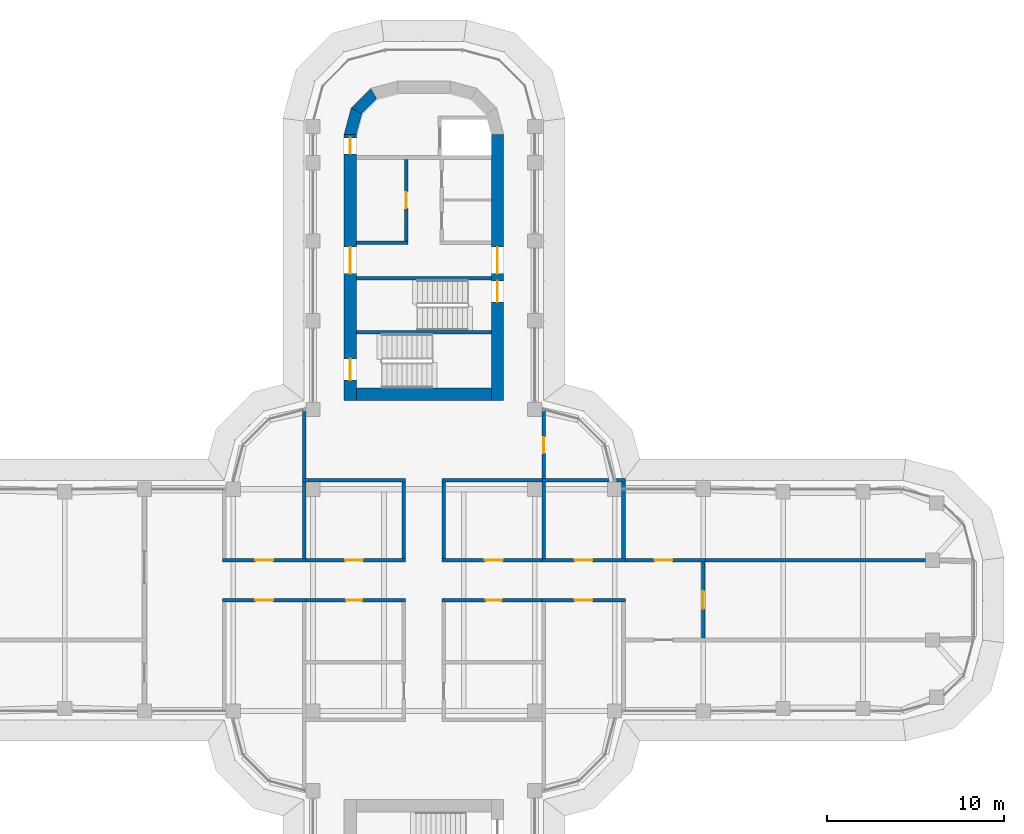
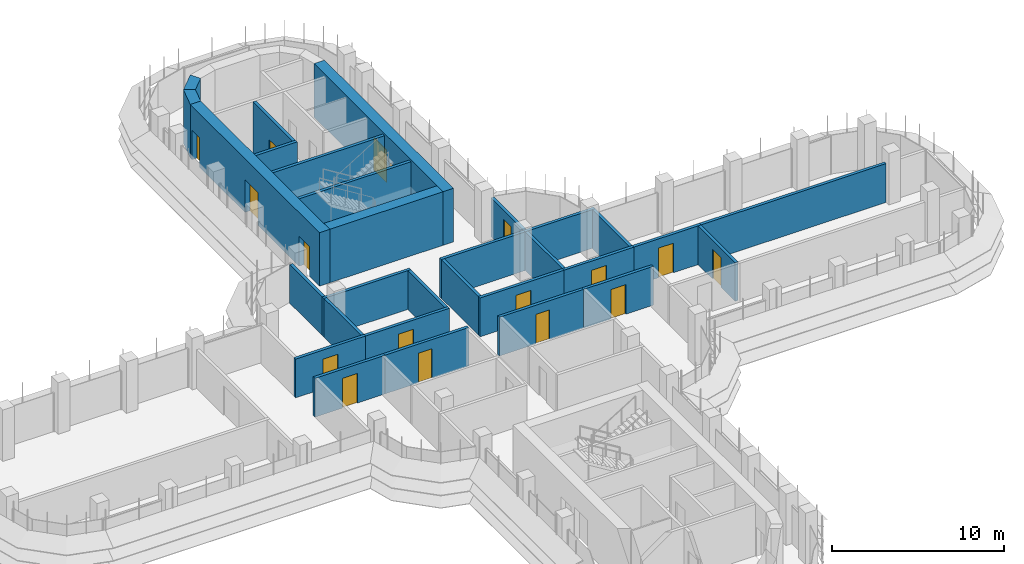
# One storey, part 14 of 19: 30 walls, 17 doors, 17 openings.
"""IFC4 building model written with IfcOpenShell, lengths in metres."""

from ifc_helpers import new_model, si_unit, direction, frame, frame_2d, origin, place, context, subcontext, project, spatial, polyline, rectangle, outline, extrude, material, layer, layer_set, type_object, element, fill, save


model = new_model("IFC4")

# Units and contexts
model_context = context("Model", 3, precision=1e-05, world=origin(), true_north=direction((0.0, 1.0)))
body_context = subcontext(model_context, "Body", "Model", "MODEL_VIEW")
ifc_project = project(units=[si_unit("LENGTHUNIT", "METRE"), si_unit("AREAUNIT", "SQUARE_METRE"), si_unit("VOLUMEUNIT", "CUBIC_METRE"), si_unit("PLANEANGLEUNIT", "RADIAN"), si_unit("MASSUNIT", "GRAM", prefix="KILO")], contexts=[model_context])

# Site, building, storey
site_placement = place(None, origin())
site = spatial("IfcSite", under=ifc_project, at=site_placement, CompositionType="ELEMENT")
building_placement = place(site_placement, origin())
building = spatial("IfcBuilding", under=site, at=building_placement, Name="Zarbagh Exchange Tower", CompositionType="ELEMENT")
storey_placement = place(building_placement, frame((0.0, 0.0, 179.0)))
storey = spatial("IfcBuildingStorey", under=building, at=storey_placement, Name="L43", CompositionType="ELEMENT", Elevation=179.0)

# Wall, opening, door
ifc_material_1 = material(Name="Fire-rated plasterboard partition")
ifc_layer_1 = layer(ifc_material_1, 0.199951171875)
ifc_layer_set_1 = layer_set([ifc_layer_1], Name="RATED PARTITION 200")
wall_type_1 = type_object("IfcWallType", Name="RATED PARTITION 200", PredefinedType="PARTITIONING", material=ifc_layer_set_1)
wall_1_placement = place(storey_placement, frame((1.02490234375, 2.25, 0.0), z_axis=(0.0, 0.0, 1.0), x_axis=(1.0, 0.0, 0.0)))
wall_1 = element("IfcWall", 1, at=wall_1_placement, inside=storey, type_object=wall_type_1, Name="Partition W-1901", PredefinedType="PARTITIONING", context=body_context, shape_type="SweptSolid", body=[
    extrude(rectangle(XDim=5.8251953125, YDim=0.199951171875, at=frame_2d((2.91259765625, 0.0))), origin(), (0.0, 0.0, 1.0), 2.75),
])
opening_1_placement = place(wall_1_placement, frame((2.41259765625, 0.0, 0.0)))
opening_1 = element("IfcOpeningElement", 2, at=opening_1_placement, cuts=wall_1, Name="Opening D-1904", PredefinedType="OPENING", context=body_context, shape_type="SweptSolid", body=[
    extrude(rectangle(XDim=1.0, YDim=2.10009765625, at=frame_2d((0.5, 1.050048828125))), frame((0.0, 0.10986328125, 0.0), z_axis=(0.0, -1.0, 0.0), x_axis=(1.0, 0.0, 0.0)), (0.0, 0.0, 1.0), 0.219970703125),
])
ifc_material_2 = material(Name="Steel door set", Category="steel")
door_type_1 = type_object("IfcDoorType", Name="FIRE DOOR 1000 X 2100 FD30S", OperationType="NOTDEFINED", PredefinedType="DOOR", material=ifc_material_2)
door_1_placement = place(opening_1_placement, origin())
door_1 = element("IfcDoor", 3, at=door_1_placement, inside=storey, type_object=door_type_1, Name="Door D-1904", OperationType="SINGLE_SWING_RIGHT", OverallHeight=2.10009765625, OverallWidth=1.0, PredefinedType="DOOR", context=body_context, shape_type="SweptSolid", body=[
    extrude(rectangle(XDim=1.0, YDim=2.10009765625, at=frame_2d((0.5, 1.050048828125))), frame((0.0, 0.02490234375, 0.0), z_axis=(0.0, -1.0, 0.0), x_axis=(1.0, 0.0, 0.0)), (0.0, 0.0, 1.0), 0.050048828125),
])
fill(opening_1, door_1)

wall_2_placement = place(storey_placement, frame((6.64990234375, 2.25, 0.0), z_axis=(0.0, 0.0, 1.0), x_axis=(1.0, 0.0, 0.0)))
wall_2 = element("IfcWall", 4, at=wall_2_placement, inside=storey, type_object=wall_type_1, Name="Partition W-1902", PredefinedType="PARTITIONING", context=body_context, shape_type="SweptSolid", body=[
    extrude(rectangle(XDim=4.7001953125, YDim=0.199951171875, at=frame_2d((2.35009765625, 0.0))), origin(), (0.0, 0.0, 1.0), 2.75),
])
opening_2_placement = place(wall_2_placement, frame((1.85009765625, 0.0, 0.0)))
opening_2 = element("IfcOpeningElement", 5, at=opening_2_placement, cuts=wall_2, Name="Opening D-1905", PredefinedType="OPENING", context=body_context, shape_type="SweptSolid", body=[
    extrude(rectangle(XDim=1.0, YDim=2.10009765625, at=frame_2d((0.5, 1.050048828125))), frame((0.0, 0.10986328125, 0.0), z_axis=(0.0, -1.0, 0.0), x_axis=(1.0, 0.0, 0.0)), (0.0, 0.0, 1.0), 0.219970703125),
])
door_2_placement = place(opening_2_placement, origin())
door_2 = element("IfcDoor", 6, at=door_2_placement, inside=storey, type_object=door_type_1, Name="Door D-1905", OperationType="SINGLE_SWING_RIGHT", OverallHeight=2.10009765625, OverallWidth=1.0, PredefinedType="DOOR", context=body_context, shape_type="SweptSolid", body=[
    extrude(rectangle(XDim=1.0, YDim=2.10009765625, at=frame_2d((0.5, 1.050048828125))), frame((0.0, 0.02490234375, 0.0), z_axis=(0.0, -1.0, 0.0), x_axis=(1.0, 0.0, 0.0)), (0.0, 0.0, 1.0), 0.050048828125),
])
fill(opening_2, door_2)

wall_3_placement = place(storey_placement, frame((-6.85009765625, 2.25, 0.0), z_axis=(0.0, 0.0, 1.0), x_axis=(1.0, 0.0, 0.0)))
wall_3 = element("IfcWall", 7, at=wall_3_placement, inside=storey, type_object=wall_type_1, Name="Partition W-1903", PredefinedType="PARTITIONING", context=body_context, shape_type="SweptSolid", body=[
    extrude(rectangle(XDim=5.8251953125, YDim=0.199951171875, at=frame_2d((2.91259765625, 0.0))), origin(), (0.0, 0.0, 1.0), 2.75),
])
opening_3_placement = place(wall_3_placement, frame((2.41259765625, 0.0, 0.0)))
opening_3 = element("IfcOpeningElement", 8, at=opening_3_placement, cuts=wall_3, Name="Opening D-1907", PredefinedType="OPENING", context=body_context, shape_type="SweptSolid", body=[
    extrude(rectangle(XDim=1.0, YDim=2.10009765625, at=frame_2d((0.5, 1.050048828125))), frame((0.0, 0.10986328125, 0.0), z_axis=(0.0, -1.0, 0.0), x_axis=(1.0, 0.0, 0.0)), (0.0, 0.0, 1.0), 0.219970703125),
])
door_3_placement = place(opening_3_placement, origin())
door_3 = element("IfcDoor", 9, at=door_3_placement, inside=storey, type_object=door_type_1, Name="Door D-1907", OperationType="SINGLE_SWING_RIGHT", OverallHeight=2.10009765625, OverallWidth=1.0, PredefinedType="DOOR", context=body_context, shape_type="SweptSolid", body=[
    extrude(rectangle(XDim=1.0, YDim=2.10009765625, at=frame_2d((0.5, 1.050048828125))), frame((0.0, 0.02490234375, 0.0), z_axis=(0.0, -1.0, 0.0), x_axis=(1.0, 0.0, 0.0)), (0.0, 0.0, 1.0), 0.050048828125),
])
fill(opening_3, door_3)

wall_4_placement = place(storey_placement, frame((-11.35009765625, 2.25, 0.0), z_axis=(0.0, 0.0, 1.0), x_axis=(1.0, 0.0, 0.0)))
wall_4 = element("IfcWall", 10, at=wall_4_placement, inside=storey, type_object=wall_type_1, Name="Partition W-1904", PredefinedType="PARTITIONING", context=body_context, shape_type="SweptSolid", body=[
    extrude(rectangle(XDim=4.7001953125, YDim=0.199951171875, at=frame_2d((2.35009765625, 0.0))), origin(), (0.0, 0.0, 1.0), 2.75),
])
opening_4_placement = place(wall_4_placement, frame((1.85009765625, 0.0, 0.0)))
opening_4 = element("IfcOpeningElement", 11, at=opening_4_placement, cuts=wall_4, Name="Opening D-1908", PredefinedType="OPENING", context=body_context, shape_type="SweptSolid", body=[
    extrude(rectangle(XDim=1.0, YDim=2.10009765625, at=frame_2d((0.5, 1.050048828125))), frame((0.0, 0.10986328125, 0.0), z_axis=(0.0, -1.0, 0.0), x_axis=(1.0, 0.0, 0.0)), (0.0, 0.0, 1.0), 0.219970703125),
])
door_4_placement = place(opening_4_placement, origin())
door_4 = element("IfcDoor", 12, at=door_4_placement, inside=storey, type_object=door_type_1, Name="Door D-1908", OperationType="SINGLE_SWING_RIGHT", OverallHeight=2.10009765625, OverallWidth=1.0, PredefinedType="DOOR", context=body_context, shape_type="SweptSolid", body=[
    extrude(rectangle(XDim=1.0, YDim=2.10009765625, at=frame_2d((0.5, 1.050048828125))), frame((0.0, 0.02490234375, 0.0), z_axis=(0.0, -1.0, 0.0), x_axis=(1.0, 0.0, 0.0)), (0.0, 0.0, 1.0), 0.050048828125),
])
fill(opening_4, door_4)

wall_5_placement = place(storey_placement, frame((6.85009765625, 0.0, 0.0), z_axis=(0.0, 0.0, 1.0), x_axis=(-1.0, 0.0, 0.0)))
wall_5 = element("IfcWall", 13, at=wall_5_placement, inside=storey, type_object=wall_type_1, Name="Partition W-1905", PredefinedType="PARTITIONING", context=body_context, shape_type="SweptSolid", body=[
    extrude(rectangle(XDim=5.8251953125, YDim=0.199951171875, at=frame_2d((2.91259765625, 0.0))), origin(), (0.0, 0.0, 1.0), 2.75),
])
opening_5_placement = place(wall_5_placement, frame((2.46240234375, 0.0, 0.0)))
opening_5 = element("IfcOpeningElement", 14, at=opening_5_placement, cuts=wall_5, Name="Opening D-1909", PredefinedType="OPENING", context=body_context, shape_type="SweptSolid", body=[
    extrude(rectangle(XDim=0.89990234375, YDim=2.10009765625, at=frame_2d((0.449951171875, 1.050048828125))), frame((0.0, 0.10986328125, 0.0), z_axis=(0.0, -1.0, 0.0), x_axis=(1.0, 0.0, 0.0)), (0.0, 0.0, 1.0), 0.219970703125),
])
ifc_material_3 = material(Name="Timber door leaf", Category="wood")
door_type_2 = type_object("IfcDoorType", Name="DOOR 900 X 2100", OperationType="NOTDEFINED", PredefinedType="DOOR", material=ifc_material_3)
door_5_placement = place(opening_5_placement, origin())
door_5 = element("IfcDoor", 15, at=door_5_placement, inside=storey, type_object=door_type_2, Name="Door D-1909", OperationType="SINGLE_SWING_RIGHT", OverallHeight=2.10009765625, OverallWidth=0.89990234375, PredefinedType="DOOR", context=body_context, shape_type="SweptSolid", body=[
    extrude(rectangle(XDim=0.89990234375, YDim=2.10009765625, at=frame_2d((0.449951171875, 1.050048828125))), frame((0.0, 0.02490234375, 0.0), z_axis=(0.0, -1.0, 0.0), x_axis=(1.0, 0.0, 0.0)), (0.0, 0.0, 1.0), 0.050048828125),
])
fill(opening_5, door_5)

wall_6_placement = place(storey_placement, frame((11.35009765625, 0.0, 0.0), z_axis=(0.0, 0.0, 1.0), x_axis=(-1.0, 0.0, 0.0)))
wall_6 = element("IfcWall", 16, at=wall_6_placement, inside=storey, type_object=wall_type_1, Name="Partition W-1906", PredefinedType="PARTITIONING", context=body_context, shape_type="SweptSolid", body=[
    extrude(rectangle(XDim=4.7001953125, YDim=0.199951171875, at=frame_2d((2.35009765625, 0.0))), origin(), (0.0, 0.0, 1.0), 2.75),
])
opening_6_placement = place(wall_6_placement, frame((1.85009765625, 0.0, 0.0)))
opening_6 = element("IfcOpeningElement", 17, at=opening_6_placement, cuts=wall_6, Name="Opening D-1911", PredefinedType="OPENING", context=body_context, shape_type="SweptSolid", body=[
    extrude(rectangle(XDim=1.0, YDim=2.10009765625, at=frame_2d((0.5, 1.050048828125))), frame((0.0, 0.10986328125, 0.0), z_axis=(0.0, -1.0, 0.0), x_axis=(1.0, 0.0, 0.0)), (0.0, 0.0, 1.0), 0.219970703125),
])
door_6_placement = place(opening_6_placement, origin())
door_6 = element("IfcDoor", 18, at=door_6_placement, inside=storey, type_object=door_type_1, Name="Door D-1911", OperationType="SINGLE_SWING_RIGHT", OverallHeight=2.10009765625, OverallWidth=1.0, PredefinedType="DOOR", context=body_context, shape_type="SweptSolid", body=[
    extrude(rectangle(XDim=1.0, YDim=2.10009765625, at=frame_2d((0.5, 1.050048828125))), frame((0.0, 0.02490234375, 0.0), z_axis=(0.0, -1.0, 0.0), x_axis=(1.0, 0.0, 0.0)), (0.0, 0.0, 1.0), 0.050048828125),
])
fill(opening_6, door_6)

wall_7_placement = place(storey_placement, frame((-1.02490234375, 0.0, 0.0), z_axis=(0.0, 0.0, 1.0), x_axis=(-1.0, 0.0, 0.0)))
wall_7 = element("IfcWall", 19, at=wall_7_placement, inside=storey, type_object=wall_type_1, Name="Partition W-1907", PredefinedType="PARTITIONING", context=body_context, shape_type="SweptSolid", body=[
    extrude(rectangle(XDim=5.8251953125, YDim=0.199951171875, at=frame_2d((2.91259765625, 0.0))), origin(), (0.0, 0.0, 1.0), 2.75),
])
opening_7_placement = place(wall_7_placement, frame((2.46240234375, 0.0, 0.0)))
opening_7 = element("IfcOpeningElement", 20, at=opening_7_placement, cuts=wall_7, Name="Opening D-1912", PredefinedType="OPENING", context=body_context, shape_type="SweptSolid", body=[
    extrude(rectangle(XDim=0.89990234375, YDim=2.10009765625, at=frame_2d((0.449951171875, 1.050048828125))), frame((0.0, 0.10986328125, 0.0), z_axis=(0.0, -1.0, 0.0), x_axis=(1.0, 0.0, 0.0)), (0.0, 0.0, 1.0), 0.219970703125),
])
door_7_placement = place(opening_7_placement, origin())
door_7 = element("IfcDoor", 21, at=door_7_placement, inside=storey, type_object=door_type_2, Name="Door D-1912", OperationType="SINGLE_SWING_RIGHT", OverallHeight=2.10009765625, OverallWidth=0.89990234375, PredefinedType="DOOR", context=body_context, shape_type="SweptSolid", body=[
    extrude(rectangle(XDim=0.89990234375, YDim=2.10009765625, at=frame_2d((0.449951171875, 1.050048828125))), frame((0.0, 0.02490234375, 0.0), z_axis=(0.0, -1.0, 0.0), x_axis=(1.0, 0.0, 0.0)), (0.0, 0.0, 1.0), 0.050048828125),
])
fill(opening_7, door_7)

wall_8_placement = place(storey_placement, frame((-6.64990234375, 0.0, 0.0), z_axis=(0.0, 0.0, 1.0), x_axis=(-1.0, 0.0, 0.0)))
wall_8 = element("IfcWall", 22, at=wall_8_placement, inside=storey, type_object=wall_type_1, Name="Partition W-1908", PredefinedType="PARTITIONING", context=body_context, shape_type="SweptSolid", body=[
    extrude(rectangle(XDim=4.7001953125, YDim=0.199951171875, at=frame_2d((2.35009765625, 0.0))), origin(), (0.0, 0.0, 1.0), 2.75),
])
opening_8_placement = place(wall_8_placement, frame((1.85009765625, 0.0, 0.0)))
opening_8 = element("IfcOpeningElement", 23, at=opening_8_placement, cuts=wall_8, Name="Opening D-1914", PredefinedType="OPENING", context=body_context, shape_type="SweptSolid", body=[
    extrude(rectangle(XDim=1.0, YDim=2.10009765625, at=frame_2d((0.5, 1.050048828125))), frame((0.0, 0.10986328125, 0.0), z_axis=(0.0, -1.0, 0.0), x_axis=(1.0, 0.0, 0.0)), (0.0, 0.0, 1.0), 0.219970703125),
])
door_8_placement = place(opening_8_placement, origin())
door_8 = element("IfcDoor", 24, at=door_8_placement, inside=storey, type_object=door_type_1, Name="Door D-1914", OperationType="SINGLE_SWING_RIGHT", OverallHeight=2.10009765625, OverallWidth=1.0, PredefinedType="DOOR", context=body_context, shape_type="SweptSolid", body=[
    extrude(rectangle(XDim=1.0, YDim=2.10009765625, at=frame_2d((0.5, 1.050048828125))), frame((0.0, 0.02490234375, 0.0), z_axis=(0.0, -1.0, 0.0), x_axis=(1.0, 0.0, 0.0)), (0.0, 0.0, 1.0), 0.050048828125),
])
fill(opening_8, door_8)

# Walls
for number, where, z_axis, x_axis, name in (
    (25, (1.125, 2.35009765625, 0.0), (0.0, 0.0, 1.0), (0.0, 1.0, 0.0), "Partition W-1909"),
    (26, (-1.125, 2.35009765625, 0.0), (0.0, 0.0, 1.0), (0.0, 1.0, 0.0), "Partition W-1910"),
):
    element("IfcWall", number, at=place(storey_placement, frame(where, z_axis=z_axis, x_axis=x_axis)), inside=storey, type_object=wall_type_1, Name=name, PredefinedType="PARTITIONING", context=body_context, shape_type="SweptSolid", body=[
        extrude(rectangle(XDim=4.2998046875, YDim=0.199951171875, at=frame_2d((2.14990234375, 0.0))), origin(), (0.0, 0.0, 1.0), 2.75),
    ])
wall_9_placement = place(storey_placement, frame((1.02490234375, 6.75, 0.0), z_axis=(0.0, 0.0, 1.0), x_axis=(1.0, 0.0, 0.0)))
element("IfcWall", 27, at=wall_9_placement, inside=storey, type_object=wall_type_1, Name="Partition W-1915", PredefinedType="PARTITIONING", context=body_context, shape_type="SweptSolid", body=[
    extrude(rectangle(XDim=5.8251953125, YDim=0.199951171875, at=frame_2d((2.91259765625, 0.0))), origin(), (0.0, 0.0, 1.0), 2.75),
])

# Wall, opening, door
wall_10_placement = place(storey_placement, frame((6.75, 10.6298828125, 0.0), z_axis=(0.0, 0.0, 1.0), x_axis=(0.0, -1.0, 0.0)))
wall_10 = element("IfcWall", 28, at=wall_10_placement, inside=storey, type_object=wall_type_1, Name="Partition W-1916", PredefinedType="PARTITIONING", context=body_context, shape_type="SweptSolid", body=[
    extrude(rectangle(XDim=3.77978515625, YDim=0.199951171875, at=frame_2d((1.889892578125, 0.0))), origin(), (0.0, 0.0, 1.0), 2.75),
])
opening_9_placement = place(wall_10_placement, frame((1.43994140625, 0.0, 0.0)))
opening_9 = element("IfcOpeningElement", 29, at=opening_9_placement, cuts=wall_10, Name="Opening D-1906", PredefinedType="OPENING", context=body_context, shape_type="SweptSolid", body=[
    extrude(rectangle(XDim=0.89990234375, YDim=2.10009765625, at=frame_2d((0.449951171875, 1.050048828125))), frame((0.0, 0.10986328125, 0.0), z_axis=(0.0, -1.0, 0.0), x_axis=(1.0, 0.0, 0.0)), (0.0, 0.0, 1.0), 0.219970703125),
])
door_9_placement = place(opening_9_placement, origin())
door_9 = element("IfcDoor", 30, at=door_9_placement, inside=storey, type_object=door_type_2, Name="Door D-1906", OperationType="SINGLE_SWING_RIGHT", OverallHeight=2.10009765625, OverallWidth=0.89990234375, PredefinedType="DOOR", context=body_context, shape_type="SweptSolid", body=[
    extrude(rectangle(XDim=0.89990234375, YDim=2.10009765625, at=frame_2d((0.449951171875, 1.050048828125))), frame((0.0, 0.02490234375, 0.0), z_axis=(0.0, -1.0, 0.0), x_axis=(1.0, 0.0, 0.0)), (0.0, 0.0, 1.0), 0.050048828125),
])
fill(opening_9, door_9)

# Walls
wall_11_placement = place(storey_placement, frame((-6.85009765625, 6.75, 0.0), z_axis=(0.0, 0.0, 1.0), x_axis=(1.0, 0.0, 0.0)))
element("IfcWall", 31, at=wall_11_placement, inside=storey, type_object=wall_type_1, Name="Partition W-1917", PredefinedType="PARTITIONING", context=body_context, shape_type="SweptSolid", body=[
    extrude(rectangle(XDim=5.8251953125, YDim=0.199951171875, at=frame_2d((2.91259765625, 0.0))), origin(), (0.0, 0.0, 1.0), 2.75),
])
wall_12_placement = place(storey_placement, frame((-6.75, 6.85009765625, 0.0), z_axis=(0.0, 0.0, 1.0), x_axis=(0.0, 1.0, 0.0)))
element("IfcWall", 32, at=wall_12_placement, inside=storey, type_object=wall_type_1, Name="Partition W-1918", PredefinedType="PARTITIONING", context=body_context, shape_type="SweptSolid", body=[
    extrude(rectangle(XDim=3.77978515625, YDim=0.199951171875, at=frame_2d((1.889892578125, 0.0))), origin(), (0.0, 0.0, 1.0), 2.75),
])
wall_13_placement = place(storey_placement, frame((6.75, 2.35009765625, 0.0), z_axis=(0.0, 0.0, 1.0), x_axis=(0.0, 1.0, 0.0)))
element("IfcWall", 33, at=wall_13_placement, inside=storey, type_object=wall_type_1, Name="Partition W-1923", PredefinedType="PARTITIONING", context=body_context, shape_type="SweptSolid", body=[
    extrude(rectangle(XDim=4.2998046875, YDim=0.199951171875, at=frame_2d((2.14990234375, 0.0))), origin(), (0.0, 0.0, 1.0), 2.75),
])
wall_14_placement = place(storey_placement, frame((6.64990234375, 6.75, 0.0), z_axis=(0.0, 0.0, 1.0), x_axis=(1.0, 0.0, 0.0)))
element("IfcWall", 34, at=wall_14_placement, inside=storey, type_object=wall_type_1, Name="Partition W-1924", PredefinedType="PARTITIONING", context=body_context, shape_type="SweptSolid", body=[
    extrude(rectangle(XDim=4.7001953125, YDim=0.199951171875, at=frame_2d((2.35009765625, 0.0))), origin(), (0.0, 0.0, 1.0), 2.75),
])
for number, where, z_axis, x_axis, name in (
    (35, (11.25, 2.35009765625, 0.0), (0.0, 0.0, 1.0), (0.0, 1.0, 0.0), "Partition W-1925"),
    (36, (-6.75, 2.35009765625, 0.0), (0.0, 0.0, 1.0), (0.0, 1.0, 0.0), "Partition W-1926"),
):
    element("IfcWall", number, at=place(storey_placement, frame(where, z_axis=z_axis, x_axis=x_axis)), inside=storey, type_object=wall_type_1, Name=name, PredefinedType="PARTITIONING", context=body_context, shape_type="SweptSolid", body=[
        extrude(rectangle(XDim=4.2998046875, YDim=0.199951171875, at=frame_2d((2.14990234375, 0.0))), origin(), (0.0, 0.0, 1.0), 2.75),
    ])

# Wall, opening, door
wall_15_placement = place(storey_placement, frame((11.14990234375, 2.25, 0.0), z_axis=(0.0, 0.0, 1.0), x_axis=(1.0, 0.0, 0.0)))
wall_15 = element("IfcWall", 37, at=wall_15_placement, inside=storey, type_object=wall_type_1, Name="Partition W-1937", PredefinedType="PARTITIONING", context=body_context, shape_type="SweptSolid", body=[
    extrude(rectangle(XDim=4.7001953125, YDim=0.199951171875, at=frame_2d((2.35009765625, 0.0))), origin(), (0.0, 0.0, 1.0), 2.75),
])
opening_10_placement = place(wall_15_placement, frame((1.85009765625, 0.0, 0.0)))
opening_10 = element("IfcOpeningElement", 38, at=opening_10_placement, cuts=wall_15, Name="Opening D-1902", PredefinedType="OPENING", context=body_context, shape_type="SweptSolid", body=[
    extrude(rectangle(XDim=1.0, YDim=2.10009765625, at=frame_2d((0.5, 1.050048828125))), frame((0.0, 0.10986328125, 0.0), z_axis=(0.0, -1.0, 0.0), x_axis=(1.0, 0.0, 0.0)), (0.0, 0.0, 1.0), 0.219970703125),
])
door_10_placement = place(opening_10_placement, origin())
door_10 = element("IfcDoor", 39, at=door_10_placement, inside=storey, type_object=door_type_1, Name="Door D-1902", OperationType="SINGLE_SWING_RIGHT", OverallHeight=2.10009765625, OverallWidth=1.0, PredefinedType="DOOR", context=body_context, shape_type="SweptSolid", body=[
    extrude(rectangle(XDim=1.0, YDim=2.10009765625, at=frame_2d((0.5, 1.050048828125))), frame((0.0, 0.02490234375, 0.0), z_axis=(0.0, -1.0, 0.0), x_axis=(1.0, 0.0, 0.0)), (0.0, 0.0, 1.0), 0.050048828125),
])
fill(opening_10, door_10)

wall_16_placement = place(storey_placement, frame((15.75, 2.14990234375, 0.0), z_axis=(0.0, 0.0, 1.0), x_axis=(0.0, -1.0, 0.0)))
wall_16 = element("IfcWall", 40, at=wall_16_placement, inside=storey, type_object=wall_type_1, Name="Partition W-1939", PredefinedType="PARTITIONING", context=body_context, shape_type="SweptSolid", body=[
    extrude(rectangle(XDim=4.2998046875, YDim=0.199951171875, at=frame_2d((2.14990234375, 0.0))), origin(), (0.0, 0.0, 1.0), 2.75),
])
opening_11_placement = place(wall_16_placement, frame((1.64990234375, 0.0, 0.0)))
opening_11 = element("IfcOpeningElement", 41, at=opening_11_placement, cuts=wall_16, Name="Opening D-1901", PredefinedType="OPENING", context=body_context, shape_type="SweptSolid", body=[
    extrude(rectangle(XDim=1.0, YDim=2.10009765625, at=frame_2d((0.5, 1.050048828125))), frame((0.0, 0.10986328125, 0.0), z_axis=(0.0, -1.0, 0.0), x_axis=(1.0, 0.0, 0.0)), (0.0, 0.0, 1.0), 0.219970703125),
])
door_11_placement = place(opening_11_placement, origin())
door_11 = element("IfcDoor", 42, at=door_11_placement, inside=storey, type_object=door_type_1, Name="Door D-1901", OperationType="SINGLE_SWING_RIGHT", OverallHeight=2.10009765625, OverallWidth=1.0, PredefinedType="DOOR", context=body_context, shape_type="SweptSolid", body=[
    extrude(rectangle(XDim=1.0, YDim=2.10009765625, at=frame_2d((0.5, 1.050048828125))), frame((0.0, 0.02490234375, 0.0), z_axis=(0.0, -1.0, 0.0), x_axis=(1.0, 0.0, 0.0)), (0.0, 0.0, 1.0), 0.050048828125),
])
fill(opening_11, door_11)

# Walls
wall_17_placement = place(storey_placement, frame((15.64990234375, 2.25, 0.0), z_axis=(0.0, 0.0, 1.0), x_axis=(1.0, 0.0, 0.0)))
element("IfcWall", 43, at=wall_17_placement, inside=storey, type_object=wall_type_1, Name="Partition W-1940", PredefinedType="PARTITIONING", context=body_context, shape_type="SweptSolid", body=[
    extrude(rectangle(XDim=12.6201171875, YDim=0.199951171875, at=frame_2d((6.31005859375, 0.0))), origin(), (0.0, 0.0, 1.0), 2.75),
])
ifc_material_4 = material(Name="Concrete C50/60", Category="concrete")
ifc_layer_2 = layer(ifc_material_4, 0.699951171875)
ifc_layer_set_2 = layer_set([ifc_layer_2], Name="RC core corner wall 700 C50/60")
wall_type_2 = type_object("IfcWallType", Name="RC core corner wall 700 C50/60", PredefinedType="SHEAR", material=ifc_layer_set_2)
wall_18_placement = place(storey_placement, origin())
element("IfcWall", 44, at=wall_18_placement, inside=storey, type_object=wall_type_2, Name="CW6 core N corner W", PredefinedType="SHEAR", context=body_context, shape_type="SweptSolid", body=[
    extrude(outline(polyline([(-4.5, 26.25), (-4.09814453125, 27.75), (-3.491943359375, 27.39990234375), (-3.800048828125, 26.25), (-4.5, 26.25)])), origin(), (0.0, 0.0, 1.0), 3.800048828125),
])
wall_19_placement = place(storey_placement, origin())
element("IfcWall", 45, at=wall_19_placement, inside=storey, type_object=wall_type_2, Name="CW6 core N corner W", PredefinedType="SHEAR", context=body_context, shape_type="SweptSolid", body=[
    extrude(outline(polyline([(-4.09814453125, 27.75), (-3.0, 28.84814453125), (-2.64990234375, 28.241943359375), (-3.491943359375, 27.39990234375), (-4.09814453125, 27.75)])), origin(), (0.0, 0.0, 1.0), 3.800048828125),
])

# Wall, openings, doors
ifc_layer_3 = layer(ifc_material_4, 0.699951171875)
ifc_layer_set_3 = layer_set([ifc_layer_3], Name="RC core wall 700 C50/60")
wall_type_3 = type_object("IfcWallType", Name="RC core wall 700 C50/60", PredefinedType="SHEAR", material=ifc_layer_set_3)
wall_20_placement = place(storey_placement, frame((-4.14990234375, 11.25, 0.0), z_axis=(0.0, 0.0, 1.0), x_axis=(0.0, 1.0, 0.0)))
wall_20 = element("IfcWall", 46, at=wall_20_placement, inside=storey, type_object=wall_type_3, Name="CW5 core N W", PredefinedType="SHEAR", context=body_context, shape_type="SweptSolid", body=[
    extrude(rectangle(XDim=15.0, YDim=0.699951171875, at=frame_2d((7.5, 0.0))), origin(), (0.0, 0.0, 1.0), 3.800048828125),
])
opening_12_placement = place(wall_20_placement, frame((7.14990234375, 0.0, 0.0)))
opening_12 = element("IfcOpeningElement", 47, at=opening_12_placement, cuts=wall_20, Name="Opening CD1-1500", PredefinedType="OPENING", context=body_context, shape_type="SweptSolid", body=[
    extrude(rectangle(XDim=1.5, YDim=2.300048828125, at=frame_2d((0.75, 1.14990234375))), frame((0.0, 0.35986328125, 0.0), z_axis=(0.0, -1.0, 0.0), x_axis=(1.0, 0.0, 0.0)), (0.0, 0.0, 1.0), 0.719970703125),
])
opening_13_placement = place(wall_20_placement, frame((13.89990234375, 0.0, 0.0)))
opening_13 = element("IfcOpeningElement", 48, at=opening_13_placement, cuts=wall_20, Name="Opening CD2-900", PredefinedType="OPENING", context=body_context, shape_type="SweptSolid", body=[
    extrude(rectangle(XDim=0.89990234375, YDim=2.10009765625, at=frame_2d((0.449951171875, 1.050048828125))), frame((0.0, 0.35986328125, 0.0), z_axis=(0.0, -1.0, 0.0), x_axis=(1.0, 0.0, 0.0)), (0.0, 0.0, 1.0), 0.719970703125),
])
opening_14_placement = place(wall_20_placement, frame((1.14990234375, 0.0, 0.0)))
opening_14 = element("IfcOpeningElement", 49, at=opening_14_placement, cuts=wall_20, Name="Opening SD1-1200", PredefinedType="OPENING", context=body_context, shape_type="SweptSolid", body=[
    extrude(rectangle(XDim=1.199951171875, YDim=2.10009765625, at=frame_2d((0.60009765625, 1.050048828125))), frame((0.0, 0.35986328125, 0.0), z_axis=(0.0, -1.0, 0.0), x_axis=(1.0, 0.0, 0.0)), (0.0, 0.0, 1.0), 0.719970703125),
])
ifc_material_5 = material(Name="Steel", Category="steel")
door_type_3 = type_object("IfcDoorType", Name="Exit stair door 1200 x 2100", OperationType="NOTDEFINED", PredefinedType="DOOR", material=ifc_material_5)
door_12_placement = place(opening_14_placement, origin())
door_12 = element("IfcDoor", 50, at=door_12_placement, inside=storey, type_object=door_type_3, Name="North core stair door ST2", OperationType="SINGLE_SWING_RIGHT", OverallHeight=2.10009765625, OverallWidth=1.199951171875, PredefinedType="DOOR", context=body_context, shape_type="SweptSolid", body=[
    extrude(rectangle(XDim=1.199951171875, YDim=2.10009765625, at=frame_2d((0.60009765625, 1.050048828125))), frame((0.0, 0.02490234375, 0.0), z_axis=(0.0, -1.0, 0.0), x_axis=(1.0, 0.0, 0.0)), (0.0, 0.0, 1.0), 0.050048828125),
])
fill(opening_14, door_12)
door_type_4 = type_object("IfcDoorType", Name="Firefighting lobby door 900 x 2100", OperationType="NOTDEFINED", PredefinedType="DOOR", material=ifc_material_5)
door_13_placement = place(opening_13_placement, origin())
door_13 = element("IfcDoor", 51, at=door_13_placement, inside=storey, type_object=door_type_4, Name="North core firefighting lobby door FF-W", OperationType="SINGLE_SWING_RIGHT", OverallHeight=2.10009765625, OverallWidth=0.89990234375, PredefinedType="DOOR", context=body_context, shape_type="SweptSolid", body=[
    extrude(rectangle(XDim=0.89990234375, YDim=2.10009765625, at=frame_2d((0.449951171875, 1.050048828125))), frame((0.0, 0.02490234375, 0.0), z_axis=(0.0, -1.0, 0.0), x_axis=(1.0, 0.0, 0.0)), (0.0, 0.0, 1.0), 0.050048828125),
])
fill(opening_13, door_13)
door_type_5 = type_object("IfcDoorType", Name="Lift lobby double door 1500 x 2300", OperationType="NOTDEFINED", PredefinedType="DOOR", material=ifc_material_5)
door_14_placement = place(opening_12_placement, origin())
door_14 = element("IfcDoor", 52, at=door_14_placement, inside=storey, type_object=door_type_5, Name="North core lift lobby door LOBBY-W", OperationType="DOUBLE_DOOR_SINGLE_SWING", OverallHeight=2.300048828125, OverallWidth=1.5, PredefinedType="DOOR", context=body_context, shape_type="SweptSolid", body=[
    extrude(rectangle(XDim=1.5, YDim=2.300048828125, at=frame_2d((0.75, 1.14990234375))), frame((0.0, 0.02490234375, 0.0), z_axis=(0.0, -1.0, 0.0), x_axis=(1.0, 0.0, 0.0)), (0.0, 0.0, 1.0), 0.050048828125),
])
fill(opening_12, door_14)

wall_21_placement = place(storey_placement, frame((4.14990234375, 11.25, 0.0), z_axis=(0.0, 0.0, 1.0), x_axis=(0.0, 1.0, 0.0)))
wall_21 = element("IfcWall", 53, at=wall_21_placement, inside=storey, type_object=wall_type_3, Name="CW5 core N E", PredefinedType="SHEAR", context=body_context, shape_type="SweptSolid", body=[
    extrude(rectangle(XDim=15.0, YDim=0.699951171875, at=frame_2d((7.5, 0.0))), origin(), (0.0, 0.0, 1.0), 3.800048828125),
])
opening_15_placement = place(wall_21_placement, frame((7.14990234375, 0.0, 0.0)))
opening_15 = element("IfcOpeningElement", 54, at=opening_15_placement, cuts=wall_21, Name="Opening CD1-1500", PredefinedType="OPENING", context=body_context, shape_type="SweptSolid", body=[
    extrude(rectangle(XDim=1.5, YDim=2.300048828125, at=frame_2d((0.75, 1.14990234375))), frame((0.0, 0.35986328125, 0.0), z_axis=(0.0, -1.0, 0.0), x_axis=(1.0, 0.0, 0.0)), (0.0, 0.0, 1.0), 0.719970703125),
])
opening_16_placement = place(wall_21_placement, frame((5.550048828125, 0.0, 0.0)))
opening_16 = element("IfcOpeningElement", 55, at=opening_16_placement, cuts=wall_21, Name="Opening SD1-1200", PredefinedType="OPENING", context=body_context, shape_type="SweptSolid", body=[
    extrude(rectangle(XDim=1.199951171875, YDim=2.10009765625, at=frame_2d((0.60009765625, 1.050048828125))), frame((0.0, 0.35986328125, 0.0), z_axis=(0.0, -1.0, 0.0), x_axis=(1.0, 0.0, 0.0)), (0.0, 0.0, 1.0), 0.719970703125),
])
door_15_placement = place(opening_16_placement, origin())
door_15 = element("IfcDoor", 56, at=door_15_placement, inside=storey, type_object=door_type_3, Name="North core stair door ST1", OperationType="SINGLE_SWING_LEFT", OverallHeight=2.10009765625, OverallWidth=1.199951171875, PredefinedType="DOOR", context=body_context, shape_type="SweptSolid", body=[
    extrude(rectangle(XDim=1.199951171875, YDim=2.10009765625, at=frame_2d((0.60009765625, 1.050048828125))), frame((0.0, 0.02490234375, 0.0), z_axis=(0.0, -1.0, 0.0), x_axis=(1.0, 0.0, 0.0)), (0.0, 0.0, 1.0), 0.050048828125),
])
fill(opening_16, door_15)
door_16_placement = place(opening_15_placement, origin())
door_16 = element("IfcDoor", 57, at=door_16_placement, inside=storey, type_object=door_type_5, Name="North core lift lobby door LOBBY-E", OperationType="DOUBLE_DOOR_SINGLE_SWING", OverallHeight=2.300048828125, OverallWidth=1.5, PredefinedType="DOOR", context=body_context, shape_type="SweptSolid", body=[
    extrude(rectangle(XDim=1.5, YDim=2.300048828125, at=frame_2d((0.75, 1.14990234375))), frame((0.0, 0.02490234375, 0.0), z_axis=(0.0, -1.0, 0.0), x_axis=(1.0, 0.0, 0.0)), (0.0, 0.0, 1.0), 0.050048828125),
])
fill(opening_15, door_16)

# Walls
wall_22_placement = place(storey_placement, frame((-3.800048828125, 11.60009765625, 0.0), z_axis=(0.0, 0.0, 1.0), x_axis=(1.0, 0.0, 0.0)))
element("IfcWall", 58, at=wall_22_placement, inside=storey, type_object=wall_type_3, Name="CW5 core N inner end", PredefinedType="SHEAR", context=body_context, shape_type="SweptSolid", body=[
    extrude(rectangle(XDim=7.60009765625, YDim=0.699951171875, at=frame_2d((3.800048828125, 0.0))), origin(), (0.0, 0.0, 1.0), 3.800048828125),
])
ifc_material_6 = material(Name="Dense blockwork", Category="masonry")
ifc_layer_4 = layer(ifc_material_6, 0.199951171875)
ifc_layer_set_4 = layer_set([ifc_layer_4], Name="Shaft wall 200 mm blockwork")
wall_type_4 = type_object("IfcWallType", Name="Shaft wall 200 mm blockwork", PredefinedType="PARTITIONING", material=ifc_layer_set_4)
wall_23_placement = place(storey_placement, frame((-3.800048828125, 20.14990234375, 0.0), z_axis=(0.0, 0.0, 1.0), x_axis=(1.0, 0.0, 0.0)))
element("IfcWall", 59, at=wall_23_placement, inside=storey, type_object=wall_type_4, Name="North core shaft wall AB-W", PredefinedType="PARTITIONING", context=body_context, shape_type="SweptSolid", body=[
    extrude(rectangle(XDim=2.900146484375, YDim=0.199951171875, at=frame_2d((1.4501953125, 0.0))), origin(), (0.0, 0.0, 1.0), 3.64990234375),
])

# Wall, opening, door
wall_24_placement = place(storey_placement, frame((-1.0, 24.85009765625, 0.0), z_axis=(0.0, 0.0, 1.0), x_axis=(0.0, -1.0, 0.0)))
wall_24 = element("IfcWall", 60, at=wall_24_placement, inside=storey, type_object=wall_type_4, Name="North core shaft wall LW-W", PredefinedType="PARTITIONING", context=body_context, shape_type="SweptSolid", body=[
    extrude(rectangle(XDim=4.60009765625, YDim=0.199951171875, at=frame_2d((2.300048828125, 0.0))), origin(), (0.0, 0.0, 1.0), 3.64990234375),
])
opening_17_placement = place(wall_24_placement, frame((1.85009765625, 0.0, 0.0)))
opening_17 = element("IfcOpeningElement", 61, at=opening_17_placement, cuts=wall_24, Name="Opening CD3-900", PredefinedType="OPENING", context=body_context, shape_type="SweptSolid", body=[
    extrude(rectangle(XDim=0.89990234375, YDim=2.10009765625, at=frame_2d((0.449951171875, 1.050048828125))), frame((0.0, 0.10986328125, 0.0), z_axis=(0.0, -1.0, 0.0), x_axis=(1.0, 0.0, 0.0)), (0.0, 0.0, 1.0), 0.219970703125),
])
door_type_6 = type_object("IfcDoorType", Name="Core room door 900 x 2100", OperationType="NOTDEFINED", PredefinedType="DOOR", material=ifc_material_5)
door_17_placement = place(opening_17_placement, origin())
door_17 = element("IfcDoor", 62, at=door_17_placement, inside=storey, type_object=door_type_6, Name="North core Riser store door RD-W-0", OperationType="SINGLE_SWING_RIGHT", OverallHeight=2.10009765625, OverallWidth=0.89990234375, PredefinedType="DOOR", context=body_context, shape_type="SweptSolid", body=[
    extrude(rectangle(XDim=0.89990234375, YDim=2.10009765625, at=frame_2d((0.449951171875, 1.050048828125))), frame((0.0, 0.02490234375, 0.0), z_axis=(0.0, -1.0, 0.0), x_axis=(1.0, 0.0, 0.0)), (0.0, 0.0, 1.0), 0.050048828125),
])
fill(opening_17, door_17)

# Walls
ifc_material_7 = material(Name="Concrete C40/50", Category="concrete")
ifc_layer_5 = layer(ifc_material_7, 0.199951171875)
ifc_layer_set_5 = layer_set([ifc_layer_5], Name="Stair enclosure wall 200 mm RC C40/50")
wall_type_5 = type_object("IfcWallType", Name="Stair enclosure wall 200 mm RC C40/50", PredefinedType="SHEAR", material=ifc_layer_set_5)
for number, where, z_axis, x_axis, name in (
    (63, (-3.800048828125, 18.14990234375, 0.0), (0.0, 0.0, 1.0), (1.0, 0.0, 0.0), "North core stair wall BS"),
    (64, (-3.800048828125, 15.10009765625, 0.0), (0.0, 0.0, 1.0), (1.0, 0.0, 0.0), "North core stair wall ST12"),
):
    element("IfcWall", number, at=place(storey_placement, frame(where, z_axis=z_axis, x_axis=x_axis)), inside=storey, type_object=wall_type_5, Name=name, PredefinedType="SHEAR", context=body_context, shape_type="SweptSolid", body=[
        extrude(rectangle(XDim=7.60009765625, YDim=0.199951171875, at=frame_2d((3.800048828125, 0.0))), origin(), (0.0, 0.0, 1.0), 3.64990234375),
    ])

save(model, "model.ifc")
